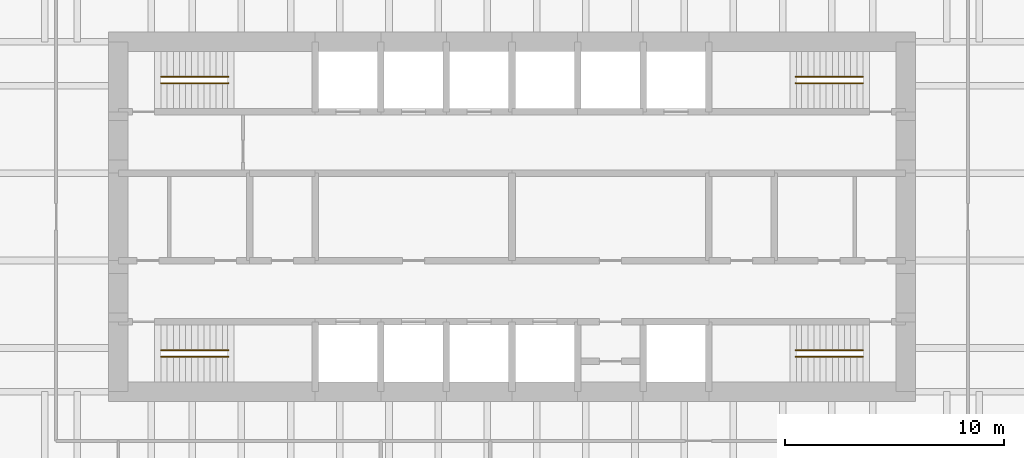
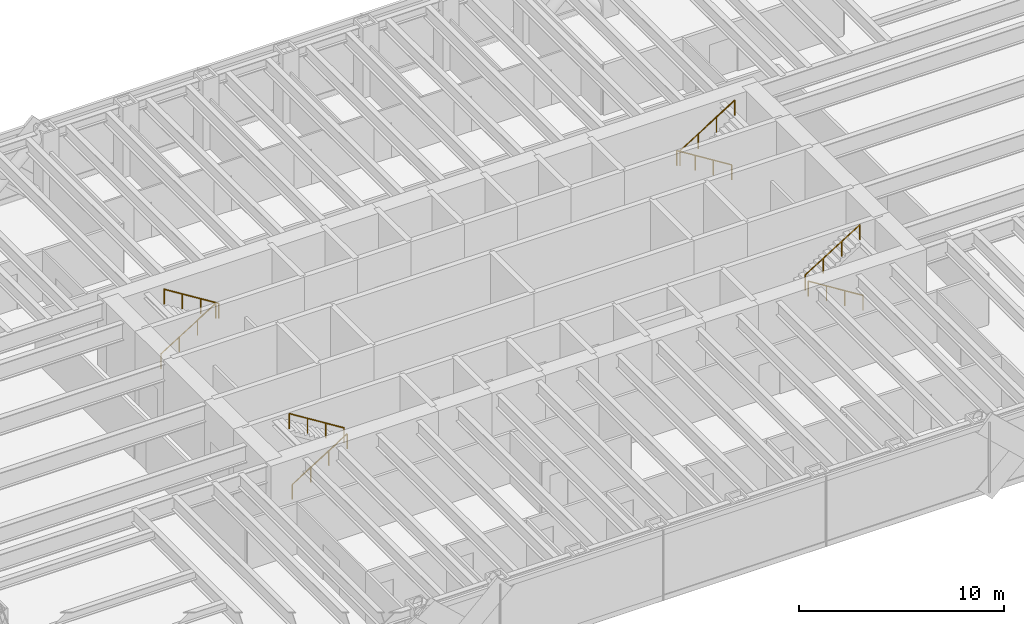
# One storey, part 15 of 15: 8 railings.
"""IFC4 building model written with IfcOpenShell, lengths in metres."""

from ifc_helpers import new_model, si_unit, direction, frame, origin, origin_2d, place, context, subcontext, project, spatial, circle, extrude, material, type_object, element, save


model = new_model("IFC4")

# Units and contexts
model_context = context("Model", 3, precision=1e-05, world=origin(), true_north=direction((0.0, 1.0)))
body_context = subcontext(model_context, "Body", "Model", "MODEL_VIEW")
ifc_project = project(units=[si_unit("LENGTHUNIT", "METRE"), si_unit("AREAUNIT", "SQUARE_METRE"), si_unit("VOLUMEUNIT", "CUBIC_METRE"), si_unit("PLANEANGLEUNIT", "RADIAN"), si_unit("MASSUNIT", "GRAM", prefix="KILO")], contexts=[model_context])

# Site, building, storey
site_placement = place(None, origin())
site = spatial("IfcSite", under=ifc_project, at=site_placement, CompositionType="ELEMENT")
building_placement = place(site_placement, origin())
building = spatial("IfcBuilding", under=site, at=building_placement, Name="Rheinbord Bourse Tower", CompositionType="ELEMENT")
storey_placement = place(building_placement, frame((0.0, 0.0, 108.89990234375)))
storey = spatial("IfcBuildingStorey", under=building, at=storey_placement, Name="L23", CompositionType="ELEMENT", Elevation=108.89990234375)

# Railings
ifc_material = material(Name="Steel handrail", Category="steel")
railing_type = type_object("IfcRailingType", Name="HANDRAIL 900", PredefinedType="HANDRAIL", material=ifc_material)
railing_1_placement = place(storey_placement, frame((19.949951171875, 17.60009765625, 0.175048828125)))
element("IfcRailing", 1, at=railing_1_placement, inside=storey, type_object=railing_type, Name="Handrail", PredefinedType="HANDRAIL", context=body_context, shape_type="SweptSolid", body=[
    extrude(circle(Radius=0.02392578125, at=origin_2d()), frame((0.0, 0.0, 0.8759765625), z_axis=(0.847998304005, 0.0, 0.529998940003), x_axis=(0.0, 1.0, 0.0)), (0.0, 0.0, 1.0), 3.632080078125),
    extrude(circle(Radius=0.02099609375, at=origin_2d()), origin(), (0.0, 0.0, 1.0), 0.851806640625),
    extrude(circle(Radius=0.02099609375, at=origin_2d()), frame((1.026611328125, 0.0, 0.6416015625)), (0.0, 0.0, 1.0), 0.851806640625),
    extrude(circle(Radius=0.02099609375, at=origin_2d()), frame((2.053466796875, 0.0, 1.283447265625)), (0.0, 0.0, 1.0), 0.851806640625),
    extrude(circle(Radius=0.02099609375, at=origin_2d()), frame((3.080078125, 0.0, 1.925048828125)), (0.0, 0.0, 1.0), 0.851806640625),
])
railing_2_placement = place(storey_placement, frame((23.030029296875, 17.89990234375, 2.275146484375)))
element("IfcRailing", 2, at=railing_2_placement, inside=storey, type_object=railing_type, Name="Handrail", PredefinedType="HANDRAIL", context=body_context, shape_type="SweptSolid", body=[
    extrude(circle(Radius=0.02392578125, at=origin_2d()), frame((0.0, 0.0, 0.8759765625), z_axis=(-0.847998304005, 0.0, 0.529998940003), x_axis=(0.0, -1.0, 0.0)), (0.0, 0.0, 1.0), 3.632080078125),
    extrude(circle(Radius=0.02099609375, at=origin_2d()), origin(), (0.0, 0.0, 1.0), 0.851806640625),
    extrude(circle(Radius=0.02099609375, at=origin_2d()), frame((-1.026611328125, 0.0, 0.6416015625)), (0.0, 0.0, 1.0), 0.851806640625),
    extrude(circle(Radius=0.02099609375, at=origin_2d()), frame((-2.053466796875, 0.0, 1.283447265625)), (0.0, 0.0, 1.0), 0.851806640625),
    extrude(circle(Radius=0.02099609375, at=origin_2d()), frame((-3.080078125, 0.0, 1.925048828125)), (0.0, 0.0, 1.0), 0.851806640625),
])
railing_3_placement = place(storey_placement, frame((19.949951171875, 30.39990234375, 0.175048828125)))
element("IfcRailing", 3, at=railing_3_placement, inside=storey, type_object=railing_type, Name="Handrail", PredefinedType="HANDRAIL", context=body_context, shape_type="SweptSolid", body=[
    extrude(circle(Radius=0.02392578125, at=origin_2d()), frame((0.0, 0.0, 0.8759765625), z_axis=(0.847998304005, 0.0, 0.529998940003), x_axis=(0.0, 1.0, 0.0)), (0.0, 0.0, 1.0), 3.632080078125),
    extrude(circle(Radius=0.02099609375, at=origin_2d()), origin(), (0.0, 0.0, 1.0), 0.851806640625),
    extrude(circle(Radius=0.02099609375, at=origin_2d()), frame((1.026611328125, 0.0, 0.6416015625)), (0.0, 0.0, 1.0), 0.851806640625),
    extrude(circle(Radius=0.02099609375, at=origin_2d()), frame((2.053466796875, 0.0, 1.283447265625)), (0.0, 0.0, 1.0), 0.851806640625),
    extrude(circle(Radius=0.02099609375, at=origin_2d()), frame((3.080078125, 0.0, 1.925048828125)), (0.0, 0.0, 1.0), 0.851806640625),
])
for number, where, name in (
    (4, (23.030029296875, 30.10009765625, 2.275146484375), "Handrail"),
    (5, (52.050048828125, 17.60009765625, 0.175048828125), "Handrail"),
):
    element("IfcRailing", number, at=place(storey_placement, frame(where)), inside=storey, type_object=railing_type, Name=name, PredefinedType="HANDRAIL", context=body_context, shape_type="SweptSolid", body=[
        extrude(circle(Radius=0.02392578125, at=origin_2d()), frame((0.0, 0.0, 0.8759765625), z_axis=(-0.847998304005, 0.0, 0.529998940003), x_axis=(0.0, -1.0, 0.0)), (0.0, 0.0, 1.0), 3.632080078125),
        extrude(circle(Radius=0.02099609375, at=origin_2d()), origin(), (0.0, 0.0, 1.0), 0.851806640625),
        extrude(circle(Radius=0.02099609375, at=origin_2d()), frame((-1.026611328125, 0.0, 0.6416015625)), (0.0, 0.0, 1.0), 0.851806640625),
        extrude(circle(Radius=0.02099609375, at=origin_2d()), frame((-2.053466796875, 0.0, 1.283447265625)), (0.0, 0.0, 1.0), 0.851806640625),
        extrude(circle(Radius=0.02099609375, at=origin_2d()), frame((-3.080078125, 0.0, 1.925048828125)), (0.0, 0.0, 1.0), 0.851806640625),
    ])
railing_4_placement = place(storey_placement, frame((48.969970703125, 17.89990234375, 2.275146484375)))
element("IfcRailing", 6, at=railing_4_placement, inside=storey, type_object=railing_type, Name="Handrail", PredefinedType="HANDRAIL", context=body_context, shape_type="SweptSolid", body=[
    extrude(circle(Radius=0.02392578125, at=origin_2d()), frame((0.0, 0.0, 0.8759765625), z_axis=(0.847998304005, 0.0, 0.529998940003), x_axis=(0.0, 1.0, 0.0)), (0.0, 0.0, 1.0), 3.632080078125),
    extrude(circle(Radius=0.02099609375, at=origin_2d()), origin(), (0.0, 0.0, 1.0), 0.851806640625),
    extrude(circle(Radius=0.02099609375, at=origin_2d()), frame((1.026611328125, 0.0, 0.6416015625)), (0.0, 0.0, 1.0), 0.851806640625),
    extrude(circle(Radius=0.02099609375, at=origin_2d()), frame((2.053466796875, 0.0, 1.283447265625)), (0.0, 0.0, 1.0), 0.851806640625),
    extrude(circle(Radius=0.02099609375, at=origin_2d()), frame((3.080078125, 0.0, 1.925048828125)), (0.0, 0.0, 1.0), 0.851806640625),
])
railing_5_placement = place(storey_placement, frame((52.050048828125, 30.39990234375, 0.175048828125)))
element("IfcRailing", 7, at=railing_5_placement, inside=storey, type_object=railing_type, Name="Handrail", PredefinedType="HANDRAIL", context=body_context, shape_type="SweptSolid", body=[
    extrude(circle(Radius=0.02392578125, at=origin_2d()), frame((0.0, 0.0, 0.8759765625), z_axis=(-0.847998304005, 0.0, 0.529998940003), x_axis=(0.0, -1.0, 0.0)), (0.0, 0.0, 1.0), 3.632080078125),
    extrude(circle(Radius=0.02099609375, at=origin_2d()), origin(), (0.0, 0.0, 1.0), 0.851806640625),
    extrude(circle(Radius=0.02099609375, at=origin_2d()), frame((-1.026611328125, 0.0, 0.6416015625)), (0.0, 0.0, 1.0), 0.851806640625),
    extrude(circle(Radius=0.02099609375, at=origin_2d()), frame((-2.053466796875, 0.0, 1.283447265625)), (0.0, 0.0, 1.0), 0.851806640625),
    extrude(circle(Radius=0.02099609375, at=origin_2d()), frame((-3.080078125, 0.0, 1.925048828125)), (0.0, 0.0, 1.0), 0.851806640625),
])
railing_6_placement = place(storey_placement, frame((48.969970703125, 30.10009765625, 2.275146484375)))
element("IfcRailing", 8, at=railing_6_placement, inside=storey, type_object=railing_type, Name="Handrail", PredefinedType="HANDRAIL", context=body_context, shape_type="SweptSolid", body=[
    extrude(circle(Radius=0.02392578125, at=origin_2d()), frame((0.0, 0.0, 0.8759765625), z_axis=(0.847998304005, 0.0, 0.529998940003), x_axis=(0.0, 1.0, 0.0)), (0.0, 0.0, 1.0), 3.632080078125),
    extrude(circle(Radius=0.02099609375, at=origin_2d()), origin(), (0.0, 0.0, 1.0), 0.851806640625),
    extrude(circle(Radius=0.02099609375, at=origin_2d()), frame((1.026611328125, 0.0, 0.6416015625)), (0.0, 0.0, 1.0), 0.851806640625),
    extrude(circle(Radius=0.02099609375, at=origin_2d()), frame((2.053466796875, 0.0, 1.283447265625)), (0.0, 0.0, 1.0), 0.851806640625),
    extrude(circle(Radius=0.02099609375, at=origin_2d()), frame((3.080078125, 0.0, 1.925048828125)), (0.0, 0.0, 1.0), 0.851806640625),
])

save(model, "model.ifc")
